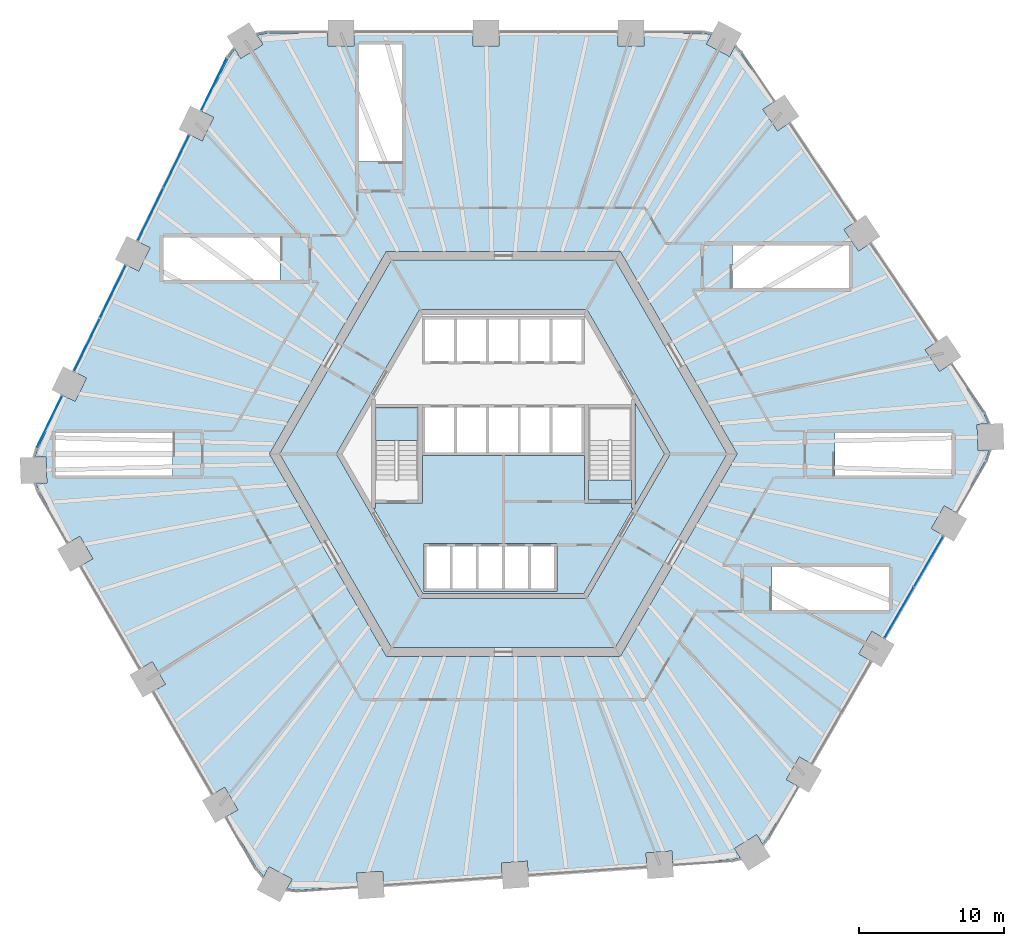
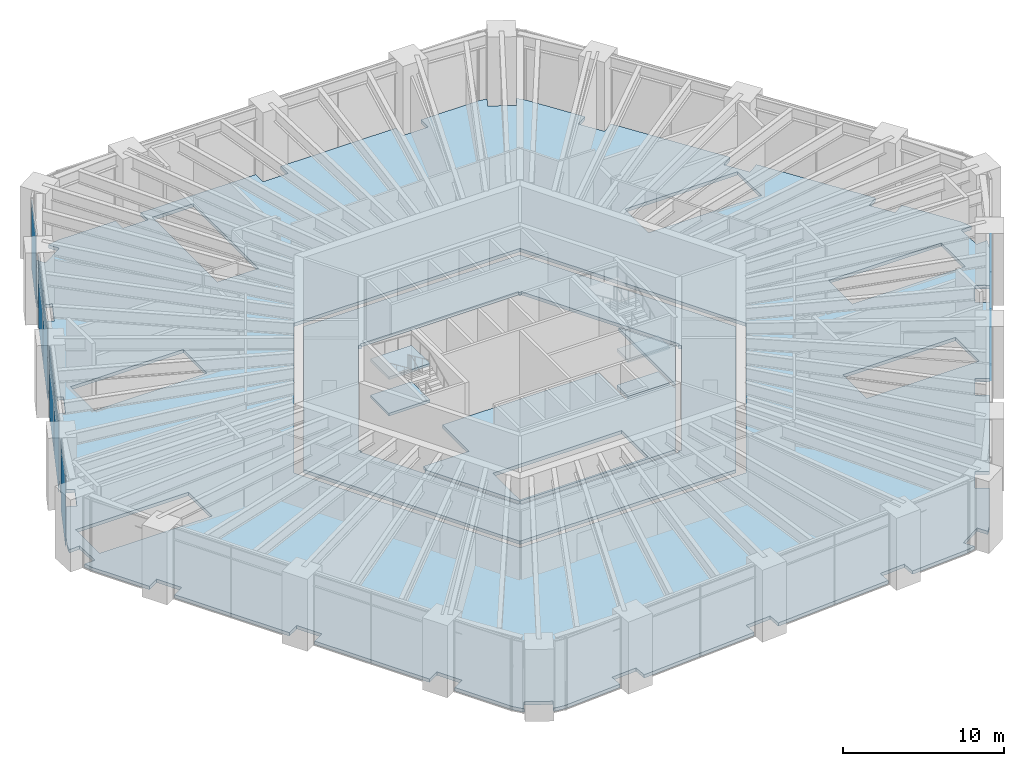
# One storey, part 16 of 25: 8 plates, 8 slabs, 7 elements without a shape of their own.
"""IFC4 building model written with IfcOpenShell, lengths in metres."""

from ifc_helpers import new_model, si_unit, direction, frame, origin, origin_2d, place, context, subcontext, project, spatial, polyline, rectangle, outline, extrude, material, layer, layer_set, type_object, element, aggregate, save


model = new_model("IFC4")

# Units and contexts
model_context = context("Model", 3, precision=1e-05, world=origin(), true_north=direction((0.0, 1.0)))
body_context = subcontext(model_context, "Body", "Model", "MODEL_VIEW")
ifc_project = project(units=[si_unit("LENGTHUNIT", "METRE"), si_unit("AREAUNIT", "SQUARE_METRE"), si_unit("VOLUMEUNIT", "CUBIC_METRE"), si_unit("PLANEANGLEUNIT", "RADIAN"), si_unit("MASSUNIT", "GRAM", prefix="KILO")], contexts=[model_context])

# Site, building, storey
site_placement = place(None, origin())
site = spatial("IfcSite", under=ifc_project, at=site_placement, CompositionType="ELEMENT")
building_placement = place(site_placement, origin())
building = spatial("IfcBuilding", under=site, at=building_placement, Name="Tarnside Tower", CompositionType="ELEMENT")
storey_placement = place(building_placement, frame((0.0, 0.0, 26.0)))
storey = spatial("IfcBuildingStorey", under=building, at=storey_placement, Name="L04", CompositionType="ELEMENT", Elevation=26.0)

# Slabs
ifc_material_1 = material(Name="Concrete C35/45", Category="concrete")
ifc_layer_1 = layer(ifc_material_1, 0.25)
ifc_layer_set_1 = layer_set([ifc_layer_1], Name="Composite floor slab 250")
slab_type_1 = type_object("IfcSlabType", Name="Composite floor slab 250", PredefinedType="FLOOR", material=ifc_layer_set_1)
slab_1_placement = place(storey_placement, frame((0.0, 0.0, -0.25)))
element("IfcSlab", 1, at=slab_1_placement, inside=storey, type_object=slab_type_1, Name="Floor slab L04", PredefinedType="FLOOR", context=body_context, shape_type="SweptSolid", body=[
    extrude(outline(polyline([(23.552734375, 15.51123046875), (24.559326171875, 14.01904296875), (25.305419921875, 14.522216796875), (29.904052734375, 7.70458984375), (29.157958984375, 7.201416015625), (30.16455078125, 5.708984375), (30.91064453125, 6.21240234375), (33.2099609375, 2.803466796875), (33.52587890625, 2.0712890625), (32.753662109375, 2.044189453125), (32.81640625, 0.245361328125), (33.588623046875, 0.2724609375), (33.32470703125, -0.47998046875), (31.268798828125, -4.041015625), (30.4892578125, -3.591064453125), (29.58935546875, -5.14990234375), (30.36865234375, -5.599853515625), (26.2568359375, -12.7216796875), (25.4775390625, -12.271728515625), (24.577392578125, -13.83056640625), (25.35693359375, -14.280517578125), (21.2451171875, -21.402587890625), (20.465576171875, -20.952392578125), (19.565673828125, -22.511474609375), (20.344970703125, -22.96142578125), (18.2890625, -26.522216796875), (17.91748046875, -26.9755859375), (17.51171875, -26.326416015625), (15.9853515625, -27.2802734375), (16.39111328125, -27.9296875), (15.82080078125, -28.064697265625), (11.718994140625, -28.3515625), (11.656005859375, -27.453857421875), (9.860595703125, -27.579345703125), (9.923095703125, -28.477294921875), (1.719482421875, -29.05078125), (1.65673828125, -28.153076171875), (-0.138916015625, -28.278564453125), (-0.075927734375, -29.176513671875), (-8.27978515625, -29.75), (-8.342529296875, -28.852294921875), (-10.13818359375, -28.977783203125), (-10.0751953125, -29.87548828125), (-14.177001953125, -30.162353515625), (-14.968994140625, -30.06982421875), (-14.6064453125, -29.3876953125), (-16.19580078125, -28.54248046875), (-16.558349609375, -29.224853515625), (-17.077880859375, -28.6201171875), (-19.134033203125, -25.05908203125), (-18.3544921875, -24.60888671875), (-19.25439453125, -23.05029296875), (-20.033935546875, -23.500244140625), (-24.145751953125, -16.378173828125), (-23.366455078125, -15.92822265625), (-24.266357421875, -14.369384765625), (-25.0458984375, -14.8193359375), (-29.15771484375, -7.697509765625), (-28.378173828125, -7.24755859375), (-29.2783203125, -5.688720703125), (-30.0576171875, -6.138671875), (-32.113525390625, -2.57763671875), (-32.3203125, -2.029296875), (-31.55517578125, -2.00244140625), (-31.617919921875, -0.20361328125), (-32.38330078125, -0.230224609375), (-32.215087890625, 0.331298828125), (-30.41259765625, 4.027099609375), (-29.603759765625, 3.63232421875), (-28.814697265625, 5.250244140625), (-29.62353515625, 5.644775390625), (-26.0185546875, 13.0361328125), (-25.209716796875, 12.6416015625), (-24.420654296875, 14.259521484375), (-25.2294921875, 14.654052734375), (-21.62451171875, 22.04541015625), (-20.8154296875, 21.65087890625), (-20.026611328125, 23.268798828125), (-20.83544921875, 23.663330078125), (-19.032958984375, 27.35888671875), (-18.556640625, 27.99853515625), (-18.147216796875, 27.343505859375), (-16.620849609375, 28.297119140625), (-17.0302734375, 28.952392578125), (-16.24658203125, 29.10009765625), (-12.134765625, 29.10009765625), (-12.134765625, 28.199951171875), (-10.334716796875, 28.199951171875), (-10.334716796875, 29.10009765625), (-2.111083984375, 29.10009765625), (-2.111083984375, 28.199951171875), (-0.31103515625, 28.199951171875), (-0.31103515625, 29.10009765625), (7.91259765625, 29.10009765625), (7.91259765625, 28.199951171875), (9.712646484375, 28.199951171875), (9.712646484375, 29.10009765625), (13.824462890625, 29.10009765625), (14.40283203125, 29.0048828125), (14.04345703125, 28.328857421875), (15.6328125, 27.483642578125), (15.9921875, 28.159912109375), (16.39453125, 27.7333984375), (18.69384765625, 24.32470703125), (17.947509765625, 23.8212890625), (18.9541015625, 22.3291015625), (19.7001953125, 22.83251953125), (24.298828125, 16.0146484375), (23.552734375, 15.51123046875)]), holes=[polyline([(-8.0830078125, -14.0), (8.0830078125, -14.0), (16.165771484375, 0.0), (8.0830078125, 14.0), (-8.0830078125, 14.0), (-16.165771484375, 0.0), (-8.0830078125, -14.0)]), polyline([(-7.014892578125, 20.22998046875), (-7.014892578125, 28.300048828125), (-9.96484375, 28.300048828125), (-9.96484375, 20.22998046875), (-7.014892578125, 20.22998046875)]), polyline([(-22.8798828125, -1.5), (-22.8798828125, 1.449951171875), (-30.949951171875, 1.449951171875), (-30.949951171875, -1.5), (-22.8798828125, -1.5)]), polyline([(31.0, 1.449951171875), (22.929931640625, 1.449951171875), (22.929931640625, -1.5), (31.0, -1.5), (31.0, 1.449951171875)]), polyline([(23.909912109375, 11.47509765625), (23.909912109375, 14.425048828125), (15.840087890625, 14.425048828125), (15.840087890625, 11.47509765625), (23.909912109375, 11.47509765625)]), polyline([(18.590087890625, -10.77490234375), (26.659912109375, -10.77490234375), (26.659912109375, -7.824951171875), (18.590087890625, -7.824951171875), (18.590087890625, -10.77490234375)]), polyline([(-15.43994140625, 12.02490234375), (-15.43994140625, 14.97509765625), (-23.510009765625, 14.97509765625), (-23.510009765625, 12.02490234375), (-15.43994140625, 12.02490234375)])]), origin(), (0.0, 0.0, 1.0), 0.25),
])
ifc_material_2 = material(Name="Concrete C40/50", Category="concrete")
ifc_layer_2 = layer(ifc_material_2, 0.25)
ifc_layer_set_2 = layer_set([ifc_layer_2], Name="Core slab C40/50")
slab_type_2 = type_object("IfcSlabType", Name="Core slab C40/50", PredefinedType="FLOOR", material=ifc_layer_set_2)
slab_2_placement = place(storey_placement, frame((0.0, 0.0, -0.25)))
element("IfcSlab", 2, at=slab_2_placement, inside=storey, type_object=slab_type_2, Name="L04 core floor slab 1", PredefinedType="FLOOR", context=body_context, shape_type="SweptSolid", body=[
    extrude(outline(polyline([(-15.472900390625, 0.0), (-7.736572265625, 13.39990234375), (7.736572265625, 13.39990234375), (15.472900390625, 0.0), (7.736572265625, -13.39990234375), (-7.736572265625, -13.39990234375), (-15.472900390625, 0.0)]), holes=[polyline([(5.823974609375, -9.91259765625), (11.49658203125, -0.08740234375), (11.344970703125, 0.0), (11.49658203125, 0.08740234375), (5.823974609375, 9.91259765625), (5.672607421875, 9.824951171875), (5.672607421875, 10.0), (-5.672607421875, 10.0), (-5.672607421875, 9.824951171875), (-5.823974609375, 9.91259765625), (-11.49658203125, 0.08740234375), (-11.344970703125, 0.0), (-11.49658203125, -0.08740234375), (-5.823974609375, -9.91259765625), (-5.672607421875, -9.824951171875), (-5.672607421875, -10.0), (5.672607421875, -10.0), (5.672607421875, -9.824951171875), (5.823974609375, -9.91259765625)])]), origin(), (0.0, 0.0, 1.0), 0.25),
])
slab_3_placement = place(storey_placement, frame((0.0, 0.0, -0.25)))
element("IfcSlab", 3, at=slab_3_placement, inside=storey, type_object=slab_type_2, Name="L04 core floor slab 3", PredefinedType="FLOOR", context=body_context, shape_type="SweptSolid", body=[
    extrude(outline(polyline([(5.60009765625, -3.39990234375), (5.89990234375, -3.39990234375), (8.85009765625, -3.39990234375), (8.85009765625, -3.7548828125), (8.97509765625, -3.7548828125), (5.5712890625, -9.64990234375), (-5.5712890625, -9.64990234375), (-8.97509765625, -3.7548828125), (-8.85009765625, -3.7548828125), (-8.85009765625, -3.39990234375), (-5.89990234375, -3.39990234375), (-5.60009765625, -3.39990234375), (-5.60009765625, -0.10009765625), (5.60009765625, -0.10009765625), (5.60009765625, -3.39990234375)]), holes=[polyline([(-5.5, -9.300048828125), (-5.5, -9.5), (3.699951171875, -9.5), (3.699951171875, -9.300048828125), (3.699951171875, -6.39990234375), (3.699951171875, -6.199951171875), (-5.5, -6.199951171875), (-5.5, -6.39990234375), (-5.5, -9.300048828125)])]), origin(), (0.0, 0.0, 1.0), 0.25),
])
slab_4_placement = place(storey_placement, frame((0.0, 0.0, -0.25)))
element("IfcSlab", 4, at=slab_4_placement, inside=storey, type_object=slab_type_2, Name="L04 core floor slab 6", PredefinedType="FLOOR", context=body_context, shape_type="SweptSolid", body=[
    extrude(outline(polyline([(5.89990234375, -3.199951171875), (5.89990234375, -1.800048828125), (8.85009765625, -1.800048828125), (8.85009765625, -3.199951171875), (5.89990234375, -3.199951171875)])), origin(), (0.0, 0.0, 1.0), 0.25),
])
slab_5_placement = place(storey_placement, frame((0.0, 0.0, -0.25)))
element("IfcSlab", 5, at=slab_5_placement, inside=storey, type_object=slab_type_2, Name="L04 core floor slab 7", PredefinedType="FLOOR", context=body_context, shape_type="SweptSolid", body=[
    extrude(outline(polyline([(9.10009765625, -3.538330078125), (9.10009765625, 3.538330078125), (11.142822265625, 0.0), (9.10009765625, -3.538330078125)])), origin(), (0.0, 0.0, 1.0), 0.25),
])

# Curtain wall, plate
ifc_material_3 = material(Name="Retail shopfront glazing wall", Category="glass")
curtain_wall_type = type_object("IfcCurtainWallType", Name="Retail shopfront glazing wall", PredefinedType="NOTDEFINED", material=ifc_material_3)
curtain_wall_1_placement = place(storey_placement, origin())
curtain_wall_1 = element("IfcCurtainWall", 6, at=curtain_wall_1_placement, inside=storey, type_object=curtain_wall_type, Name="Retail shopfront glazing L04 03.1", PredefinedType="NOTDEFINED")
ifc_material_4 = material(Name="Low-iron safety glass", Category="glass")
ifc_layer_3 = layer(ifc_material_4, 0.028076171875)
ifc_layer_set_3 = layer_set([ifc_layer_3], Name="Retail shopfront glazing panel 28")
plate_type = type_object("IfcPlateType", Name="Retail shopfront glazing panel 28", PredefinedType="CURTAIN_PANEL", material=ifc_layer_set_3)
plate_1_placement = place(storey_placement, frame((-20.006103515625, 25.546142578125, -0.18994140625), z_axis=(0.0, 0.0, 1.0), x_axis=(-0.438371146758, -0.898794046314, 0.0)))
plate_1 = element("IfcPlate", 7, at=plate_1_placement, type_object=plate_type, Name="CW2 panel 1.1", PredefinedType="CURTAIN_PANEL", context=body_context, shape_type="SweptSolid", body=[
    extrude(rectangle(XDim=3.991943359375, YDim=0.028076171875, at=origin_2d()), origin(), (0.0, 0.0, 1.0), 5.330078125),
])
aggregate(curtain_wall_1, [plate_1])

# Curtain wall, plates
curtain_wall_2_placement = place(storey_placement, origin())
curtain_wall_2 = element("IfcCurtainWall", 8, at=curtain_wall_2_placement, inside=storey, type_object=curtain_wall_type, Name="Retail shopfront glazing L04 04.0", PredefinedType="NOTDEFINED")
plate_2_placement = place(storey_placement, frame((-22.604248046875, 20.21923828125, -0.18994140625), z_axis=(0.0, 0.0, 1.0), x_axis=(-0.438371146805, -0.898794046292, 0.0)))
plate_2 = element("IfcPlate", 9, at=plate_2_placement, type_object=plate_type, Name="CW2 panel 1.1", PredefinedType="CURTAIN_PANEL", context=body_context, shape_type="SweptSolid", body=[
    extrude(rectangle(XDim=4.021728515625, YDim=0.028076171875, at=origin_2d()), origin(), (0.0, 0.0, 1.0), 5.330078125),
])
plate_3_placement = place(storey_placement, frame((-24.3935546875, 16.550537109375, -0.18994140625), z_axis=(0.0, 0.0, 1.0), x_axis=(-0.438371146805, -0.898794046292, 0.0)))
plate_3 = element("IfcPlate", 10, at=plate_3_placement, type_object=plate_type, Name="CW2 panel 2.1", PredefinedType="CURTAIN_PANEL", context=body_context, shape_type="SweptSolid", body=[
    extrude(rectangle(XDim=4.021728515625, YDim=0.028076171875, at=origin_2d()), origin(), (0.0, 0.0, 1.0), 5.330078125),
])
aggregate(curtain_wall_2, [plate_2, plate_3])

curtain_wall_3_placement = place(storey_placement, origin())
curtain_wall_3 = element("IfcCurtainWall", 11, at=curtain_wall_3_placement, inside=storey, type_object=curtain_wall_type, Name="Retail shopfront glazing L04 05.0", PredefinedType="NOTDEFINED")
plate_4_placement = place(storey_placement, frame((-26.998291015625, 11.2099609375, -0.18994140625), z_axis=(0.0, 0.0, 1.0), x_axis=(-0.438371146805, -0.898794046292, 0.0)))
plate_4 = element("IfcPlate", 12, at=plate_4_placement, type_object=plate_type, Name="CW2 panel 1.1", PredefinedType="CURTAIN_PANEL", context=body_context, shape_type="SweptSolid", body=[
    extrude(rectangle(XDim=4.021728515625, YDim=0.028076171875, at=origin_2d()), origin(), (0.0, 0.0, 1.0), 5.330078125),
])
plate_5_placement = place(storey_placement, frame((-28.78759765625, 7.541259765625, -0.18994140625), z_axis=(0.0, 0.0, 1.0), x_axis=(-0.438371146805, -0.898794046292, 0.0)))
plate_5 = element("IfcPlate", 13, at=plate_5_placement, type_object=plate_type, Name="CW2 panel 2.1", PredefinedType="CURTAIN_PANEL", context=body_context, shape_type="SweptSolid", body=[
    extrude(rectangle(XDim=4.021728515625, YDim=0.028076171875, at=origin_2d()), origin(), (0.0, 0.0, 1.0), 5.330078125),
])
aggregate(curtain_wall_3, [plate_4, plate_5])

# Curtain wall, plate
curtain_wall_4_placement = place(storey_placement, origin())
curtain_wall_4 = element("IfcCurtainWall", 14, at=curtain_wall_4_placement, inside=storey, type_object=curtain_wall_type, Name="Retail shopfront glazing L04 06.0", PredefinedType="NOTDEFINED")
plate_6_placement = place(storey_placement, frame((-31.3857421875, 2.214111328125, -0.18994140625), z_axis=(0.0, 0.0, 1.0), x_axis=(-0.438371146758, -0.898794046314, 0.0)))
plate_6 = element("IfcPlate", 15, at=plate_6_placement, type_object=plate_type, Name="CW2 panel 1.1", PredefinedType="CURTAIN_PANEL", context=body_context, shape_type="SweptSolid", body=[
    extrude(rectangle(XDim=3.991943359375, YDim=0.028076171875, at=origin_2d()), origin(), (0.0, 0.0, 1.0), 5.330078125),
])
aggregate(curtain_wall_4, [plate_6])

# Curtain wall, plates
curtain_wall_5_placement = place(storey_placement, origin())
curtain_wall_5 = element("IfcCurtainWall", 16, at=curtain_wall_5_placement, inside=storey, type_object=curtain_wall_type, Name="Retail shopfront glazing L04 17.0", PredefinedType="NOTDEFINED")
plate_7_placement = place(storey_placement, frame((27.361572265625, -10.96826171875, -0.18994140625), z_axis=(0.0, 0.0, 1.0), x_axis=(0.500000000076, 0.866025403741, 0.0)))
plate_7 = element("IfcPlate", 17, at=plate_7_placement, type_object=plate_type, Name="CW2 panel 1.1", PredefinedType="CURTAIN_PANEL", context=body_context, shape_type="SweptSolid", body=[
    extrude(rectangle(XDim=4.021728515625, YDim=0.028076171875, at=origin_2d()), origin(), (0.0, 0.0, 1.0), 5.330078125),
])
plate_8_placement = place(storey_placement, frame((29.402587890625, -7.433349609375, -0.18994140625), z_axis=(0.0, 0.0, 1.0), x_axis=(0.500000000076, 0.866025403741, 0.0)))
plate_8 = element("IfcPlate", 18, at=plate_8_placement, type_object=plate_type, Name="CW2 panel 2.1", PredefinedType="CURTAIN_PANEL", context=body_context, shape_type="SweptSolid", body=[
    extrude(rectangle(XDim=4.021728515625, YDim=0.028076171875, at=origin_2d()), origin(), (0.0, 0.0, 1.0), 5.330078125),
])
aggregate(curtain_wall_5, [plate_7, plate_8])

# Stair, slab
stair_type = type_object("IfcStairType", Name="Exit stair 1400 clear", PredefinedType="HALF_TURN_STAIR", material=ifc_material_2)
stair_1_placement = place(storey_placement, origin())
stair_1 = element("IfcStair", 19, at=stair_1_placement, inside=storey, type_object=stair_type, Name="L04 Exit stair 1", PredefinedType="HALF_TURN_STAIR")
ifc_layer_4 = layer(ifc_material_2, 0.199951171875)
ifc_layer_set_4 = layer_set([ifc_layer_4], Name="Stair landing 200 C40/50")
slab_type_3 = type_object("IfcSlabType", Name="Stair landing 200 C40/50", PredefinedType="LANDING", material=ifc_layer_set_4)
slab_6_placement = place(storey_placement, frame((0.0, 0.0, 2.550048828125)))
slab_6 = element("IfcSlab", 20, at=slab_6_placement, type_object=slab_type_3, Name="ST1 landing 2", PredefinedType="LANDING", context=body_context, shape_type="SweptSolid", body=[
    extrude(outline(polyline([(8.85009765625, -3.199951171875), (8.85009765625, -1.800048828125), (5.89990234375, -1.800048828125), (5.89990234375, -3.199951171875), (8.85009765625, -3.199951171875)])), origin(), (0.0, 0.0, 1.0), 0.199951171875),
])
aggregate(stair_1, [slab_6])

# Stair, slabs
stair_2_placement = place(storey_placement, origin())
stair_2 = element("IfcStair", 21, at=stair_2_placement, inside=storey, type_object=stair_type, Name="L04 Exit stair 2", PredefinedType="HALF_TURN_STAIR")
slab_7_placement = place(storey_placement, frame((0.0, 0.0, 1.175048828125)))
slab_7 = element("IfcSlab", 22, at=slab_7_placement, type_object=slab_type_3, Name="ST2 landing 1", PredefinedType="LANDING", context=body_context, shape_type="SweptSolid", body=[
    extrude(outline(polyline([(-5.89990234375, 0.919921875), (-5.89990234375, 3.199951171875), (-8.85009765625, 3.199951171875), (-8.85009765625, 0.919921875), (-5.89990234375, 0.919921875)])), origin(), (0.0, 0.0, 1.0), 0.199951171875),
])
slab_8_placement = place(storey_placement, frame((0.0, 0.0, 3.925048828125)))
slab_8 = element("IfcSlab", 23, at=slab_8_placement, type_object=slab_type_3, Name="ST2 landing 3", PredefinedType="LANDING", context=body_context, shape_type="SweptSolid", body=[
    extrude(outline(polyline([(-5.89990234375, 0.919921875), (-5.89990234375, 3.199951171875), (-8.85009765625, 3.199951171875), (-8.85009765625, 0.919921875), (-5.89990234375, 0.919921875)])), origin(), (0.0, 0.0, 1.0), 0.199951171875),
])
aggregate(stair_2, [slab_7, slab_8])

save(model, "model.ifc")
